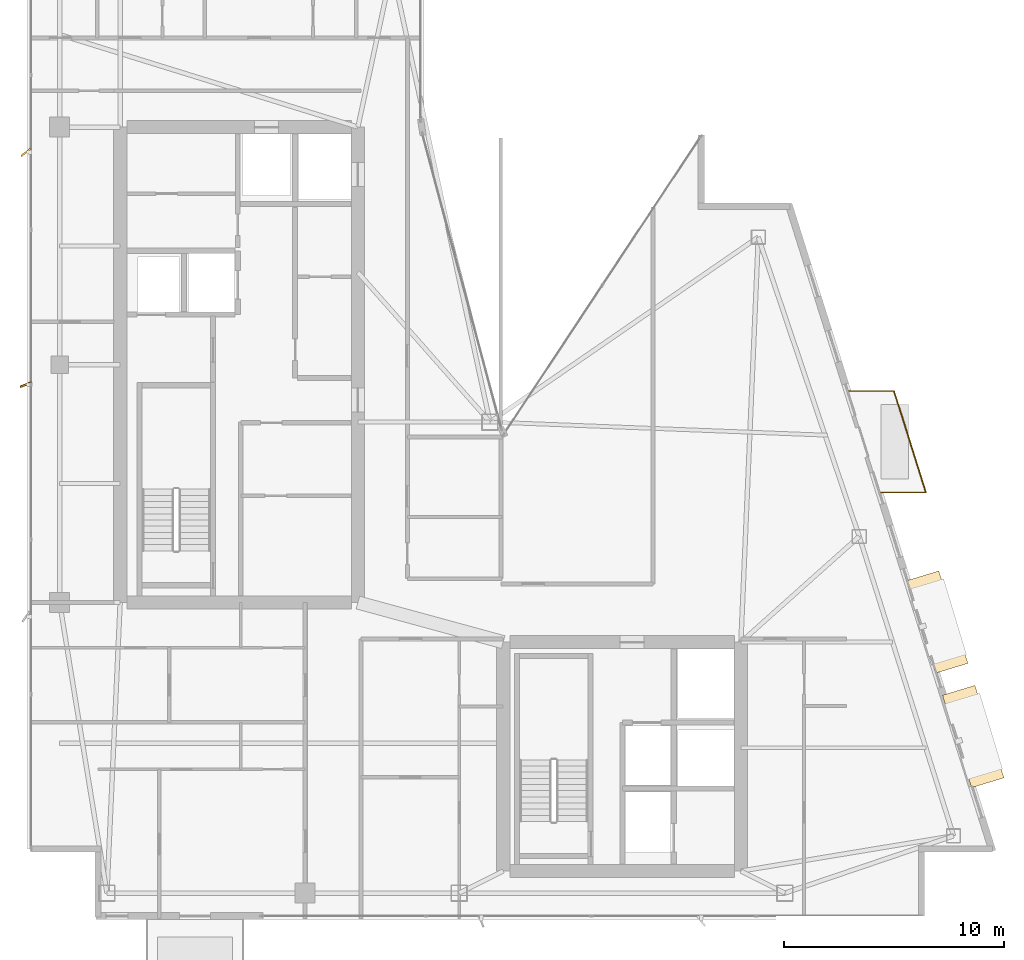
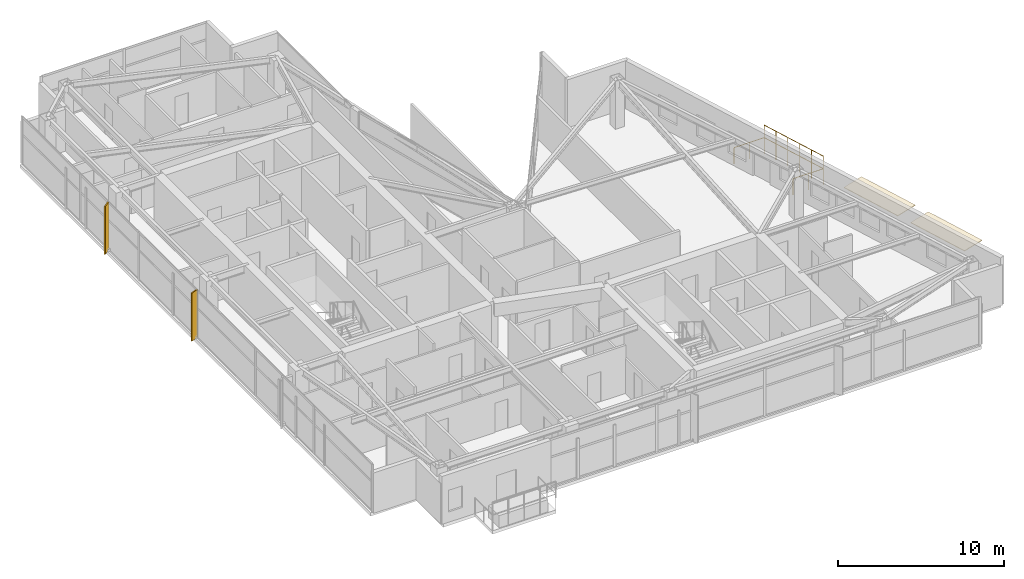
# One storey, part 27 of 27: 2 coverings, 2 railings, 2 shading devices.
"""IFC4 building model written with IfcOpenShell, lengths in metres."""

import ifcopenshell
import ifcopenshell.guid

model = None  # the IFC model being written
_history = None  # IfcOwnerHistory: only IFC2X3 demands one
_inside = {}  # id of a spatial element -> (the spatial element, [elements in it])
_under = {}  # id of a project, library or spatial element -> (it, [spatial elements below it])
_declared = {}  # id of a project -> (the project, [libraries it declares])
_typed = {}  # id of a type object -> (the type object, [elements of that type])
_made_of = {}  # id of a material, layer set ... -> (it, [elements and type objects made of it])


def new_model(schema):
    """Start an empty IFC model of exactly this schema.

    Asked for "IFC4X3", IfcOpenShell would pick the latest addendum, in which some entities
    have other attributes; the version numbers below select the first issue.
    IFC2X3 requires an IfcOwnerHistory on every rooted entity: one is made here for all.
    """
    global model, _history
    if schema == "IFC4X3":
        model = ifcopenshell.file(schema_version=(4, 3, 0, 0))
    else:
        model = ifcopenshell.file(schema=schema)
    _inside.clear()
    _under.clear()
    _declared.clear()
    _typed.clear()
    _made_of.clear()
    _history = None
    if model.schema == "IFC2X3":
        org = make("IfcOrganization", Name="unknown")
        user = make(
            "IfcPersonAndOrganization",
            ThePerson=make("IfcPerson", FamilyName="unknown"),
            TheOrganization=org,
        )
        app = make(
            "IfcApplication",
            ApplicationDeveloper=org,
            Version="unknown",
            ApplicationFullName="unknown",
            ApplicationIdentifier="unknown",
        )
        _history = make(
            "IfcOwnerHistory",
            OwningUser=user,
            OwningApplication=app,
            ChangeAction="ADDED",
            CreationDate=0,
        )
    return model


def make(cls, **values):
    """One entity of the class cls with the attributes given. An attribute that is None is left unset."""
    return model.create_entity(
        cls, **{name: value for name, value in values.items() if value is not None}
    )


def rooted(cls, **values):
    """An entity with a GlobalId (a new one), such as an element, a storey or a relation."""
    return make(cls, GlobalId=ifcopenshell.guid.new(), OwnerHistory=_history, **values)


def si_unit(unit_type, name, prefix=None):
    """IfcSIUnit, for example si_unit("LENGTHUNIT", "METRE", prefix="MILLI")."""
    return make("IfcSIUnit", UnitType=unit_type, Prefix=prefix, Name=name)


def assignment(units):
    """IfcUnitAssignment: the units of a project."""
    return None if units is None else make("IfcUnitAssignment", Units=units)


def point(xyz):
    """IfcCartesianPoint."""
    return None if xyz is None else make("IfcCartesianPoint", Coordinates=xyz)


def direction(xyz):
    """IfcDirection."""
    return None if xyz is None else make("IfcDirection", DirectionRatios=xyz)


def frame(location, z_axis=None, x_axis=None):
    """IfcAxis2Placement3D, a coordinate frame: its origin and axes. An axis left out is left unset."""
    return make(
        "IfcAxis2Placement3D",
        Location=point(location),
        Axis=direction(z_axis),
        RefDirection=direction(x_axis),
    )


def frame_2d(location, x_axis=None):
    """IfcAxis2Placement2D, a coordinate frame in the plane: its origin and x axis."""
    return make(
        "IfcAxis2Placement2D", Location=point(location), RefDirection=direction(x_axis)
    )


def origin():
    """The frame at (0, 0, 0) with its axes left unset."""
    return frame((0.0, 0.0, 0.0))


def origin_2d():
    """The frame at (0, 0) in the plane with its x axis left unset."""
    return frame_2d((0.0, 0.0))


def place(relative_to, where):
    """IfcLocalPlacement: puts the frame where relative to a parent placement (None: the world)."""
    return make(
        "IfcLocalPlacement", PlacementRelTo=relative_to, RelativePlacement=where
    )


def context(
    kind, dimensions, precision=None, world=None, true_north=None, identifier=None
):
    """IfcGeometricRepresentationContext, for example the 3D "Model" context."""
    return make(
        "IfcGeometricRepresentationContext",
        ContextIdentifier=identifier,
        ContextType=kind,
        CoordinateSpaceDimension=dimensions,
        Precision=precision,
        WorldCoordinateSystem=world,
        TrueNorth=true_north,
    )


def subcontext(parent, identifier, kind, view, scale=None):
    """IfcGeometricRepresentationSubContext, for example "Body" below "Model"."""
    return make(
        "IfcGeometricRepresentationSubContext",
        ContextIdentifier=identifier,
        ContextType=kind,
        ParentContext=parent,
        TargetScale=scale,
        TargetView=view,
    )


def project(units=None, contexts=None):
    """IfcProject with its units and contexts."""
    return rooted(
        "IfcProject",
        Name="project",
        RepresentationContexts=contexts,
        UnitsInContext=assignment(units),
    )


def spatial(cls, under=None, at=None, **own):
    """A site, building, storey or space (cls), placed at a placement, below another one or the project."""
    s = rooted(cls, ObjectPlacement=at, **own)
    if under is not None:
        _under.setdefault(under.id(), (under, []))[1].append(s)
    return s


def polyline(points):
    """IfcPolyline through the points."""
    return make("IfcPolyline", Points=[point(p) for p in points])


def profile(cls, at=None, kind="AREA", **sizes):
    """A parametric profile (cls). Its sizes go by their IFC names, for example OverallWidth=200.0."""
    return make(cls, ProfileType=kind, Position=at, **sizes)


def rectangle(**sizes):
    """IfcRectangleProfileDef."""
    return profile("IfcRectangleProfileDef", **sizes)


def circle(**sizes):
    """IfcCircleProfileDef."""
    return profile("IfcCircleProfileDef", **sizes)


def outline(outer, holes=None, kind="AREA"):
    """IfcArbitraryClosedProfileDef: a profile drawn as a closed curve; with holes, ...WithVoids."""
    if holes is None:
        return make("IfcArbitraryClosedProfileDef", ProfileType=kind, OuterCurve=outer)
    return make(
        "IfcArbitraryProfileDefWithVoids",
        ProfileType=kind,
        OuterCurve=outer,
        InnerCurves=holes,
    )


def extrude(swept, where, along, depth):
    """IfcExtrudedAreaSolid: the profile swept, set in the frame where, extruded along a direction by depth."""
    return make(
        "IfcExtrudedAreaSolid",
        SweptArea=swept,
        Position=where,
        ExtrudedDirection=direction(along),
        Depth=depth,
    )


def shape(context_of_items, identifier, shape_type, items):
    """IfcShapeRepresentation: the items that make up one representation, for example the "Body"."""
    return make(
        "IfcShapeRepresentation",
        ContextOfItems=context_of_items,
        RepresentationIdentifier=identifier,
        RepresentationType=shape_type,
        Items=items,
    )


def material(Name=None, Category=None):
    """IfcMaterial."""
    return make("IfcMaterial", Name=Name, Category=Category)


def layer(
    of_material, thickness, ventilated=None, Name=None, Category=None, Priority=None
):
    """IfcMaterialLayer: one layer of a wall or slab, of a material (None: an air gap)."""
    return make(
        "IfcMaterialLayer",
        Material=of_material,
        LayerThickness=thickness,
        IsVentilated=ventilated,
        Name=Name,
        Category=Category,
        Priority=Priority,
    )


def layer_set(layers, Name=None):
    """IfcMaterialLayerSet."""
    return make("IfcMaterialLayerSet", MaterialLayers=layers, LayerSetName=Name)


def made_of(thing, what):
    """Note that an element or type object is made of a material, layer set ...; save() writes the relation."""
    if what is not None:
        _made_of.setdefault(what.id(), (what, []))[1].append(thing)
    return thing


def type_object(cls, material=None, **own):
    """A type object (cls), such as IfcWallType, which elements share."""
    return made_of(rooted(cls, **own), material)


def element(
    cls,
    number,
    at=None,
    inside=None,
    cuts=None,
    type_object=None,
    material=None,
    context=None,
    identifier="Body",
    shape_type=None,
    held_by="IfcProductDefinitionShape",
    body=None,
    shapes=None,
    **own,
):
    """One element of the class cls, such as IfcWall. Its Tag is "e" and its number.

    at: its placement. inside: the storey or other place that contains it. cuts: it is an
    opening in that element (IfcRelVoidsElement). A single representation is given by context,
    identifier, shape_type and body (its items); several are given by shapes. held_by: the class
    of the entity that holds the representations. save() writes the other relations.
    """
    e = rooted(cls, Tag="e%d" % number, ObjectPlacement=at, **own)
    if body is not None:
        shapes = [shape(context, identifier, shape_type, body)]
    if shapes is not None:
        e.Representation = make(held_by, Representations=shapes)
    if inside is not None:
        _inside.setdefault(inside.id(), (inside, []))[1].append(e)
    if cuts is not None:
        rooted(
            "IfcRelVoidsElement", RelatingBuildingElement=cuts, RelatedOpeningElement=e
        )
    if type_object is not None:
        _typed.setdefault(type_object.id(), (type_object, []))[1].append(e)
    return made_of(e, material)


def aggregate(whole, parts):
    """IfcRelAggregates: a whole, such as a stair, and the parts it consists of."""
    return rooted("IfcRelAggregates", RelatingObject=whole, RelatedObjects=parts)


def save(model, path):
    """Write the relations noted so far, then the file.

    IfcRelAggregates (storeys below a building ...), IfcRelContainedInSpatialStructure (elements
    in a storey), IfcRelDefinesByType, IfcRelAssociatesMaterial and IfcRelDeclares: one each for
    every whole, place, type object, material and project.
    """
    for whole, parts in _under.values():
        aggregate(whole, parts)
    for where, things in _inside.values():
        rooted(
            "IfcRelContainedInSpatialStructure",
            RelatedElements=things,
            RelatingStructure=where,
        )
    for kind, things in _typed.values():
        rooted("IfcRelDefinesByType", RelatedObjects=things, RelatingType=kind)
    for what, things in _made_of.values():
        rooted("IfcRelAssociatesMaterial", RelatedObjects=things, RelatingMaterial=what)
    for by, libraries in _declared.values():
        rooted("IfcRelDeclares", RelatingContext=by, RelatedDefinitions=libraries)
    model.write(path)


model = new_model("IFC4")

# Units and contexts
model_context = context("Model", 3, precision=1e-05, world=origin(), true_north=direction((0.0, 1.0)))
body_context = subcontext(model_context, "Body", "Model", "MODEL_VIEW")
ifc_project = project(units=[si_unit("LENGTHUNIT", "METRE"), si_unit("AREAUNIT", "SQUARE_METRE"), si_unit("VOLUMEUNIT", "CUBIC_METRE"), si_unit("PLANEANGLEUNIT", "RADIAN"), si_unit("MASSUNIT", "GRAM", prefix="KILO")], contexts=[model_context])

# Site, building, storey
site_placement = place(None, origin())
site = spatial("IfcSite", under=ifc_project, at=site_placement, CompositionType="ELEMENT")
building_placement = place(site_placement, origin())
building = spatial("IfcBuilding", under=site, at=building_placement, Name="Calvorn Quay Hotel", CompositionType="ELEMENT")
storey_placement = place(building_placement, frame((0.0, 0.0, 278.699951171875)))
storey = spatial("IfcBuildingStorey", under=building, at=storey_placement, Name="L69", CompositionType="ELEMENT", Elevation=278.699951171875)

# Coverings
ifc_material_1 = material(Name="Pale Anodised Aluminium Rainscreen Cladding", Category="aluminium")
ifc_layer = layer(ifc_material_1, 0.044921875)
ifc_layer_set = layer_set([ifc_layer], Name="COV-CROWN-CLAD")
covering_type = type_object("IfcCoveringType", Name="COV-CROWN-CLAD", PredefinedType="CLADDING", material=ifc_layer_set)
covering_1_placement = place(storey_placement, frame((0.0, 0.0, 2.505126953125)))
element("IfcCovering", 1, at=covering_1_placement, inside=storey, type_object=covering_type, Name="Angled Bay Hood Canopy L69-HOOD-1", PredefinedType="CLADDING", context=body_context, shape_type="SweptSolid", body=[
    extrude(outline(polyline([(41.556884765625, 12.587890625), (43.030029296875, 13.034912109375), (44.35302734375, 8.8349609375), (42.8798828125, 8.387939453125), (41.556884765625, 12.587890625)])), origin(), (0.0, 0.0, 1.0), 0.044921875),
])
covering_2_placement = place(storey_placement, frame((0.0, 0.0, 2.505126953125)))
element("IfcCovering", 2, at=covering_2_placement, inside=storey, type_object=covering_type, Name="Angled Bay Hood Canopy L69-HOOD-2", PredefinedType="CLADDING", context=body_context, shape_type="SweptSolid", body=[
    extrude(outline(polyline([(39.91796875, 17.7880859375), (41.39208984375, 18.235107421875), (42.715087890625, 14.034912109375), (41.240966796875, 13.587890625), (39.91796875, 17.7880859375)])), origin(), (0.0, 0.0, 1.0), 0.044921875),
])

# Railings
ifc_material_2 = material(Name="Pale Anodised Aluminium and Laminated Glass", Category="aluminium")
railing_type = type_object("IfcRailingType", Name="RLG-BALUSTRADE-1200", PredefinedType="BALUSTRADE", material=ifc_material_2)
railing_1_placement = place(storey_placement, frame((38.7060546875, 21.800048828125, 0.0)))
element("IfcRailing", 3, at=railing_1_placement, inside=storey, type_object=railing_type, Name="Tree Balcony Perimeter Balustrade L69-BALC-E", PredefinedType="BALUSTRADE", context=body_context, shape_type="SweptSolid", body=[
    extrude(circle(Radius=0.02392578125, at=origin_2d()), frame((0.0, 0.0, 1.17578125), z_axis=(1.0, 0.0, 0.0), x_axis=(0.0, 1.0, 0.0)), (0.0, 0.0, 1.0), 2.099853515625),
    extrude(circle(Radius=0.02392578125, at=origin_2d()), frame((2.099853515625, 0.0, 1.17578125), z_axis=(-0.300450487966, 0.953797412599, 0.0), x_axis=(-0.953797412599, -0.300450487966, 0.0)), (0.0, 0.0, 1.0), 4.82275390625),
    extrude(circle(Radius=0.02392578125, at=origin_2d()), frame((0.65087890625, 4.599853515625, 1.17578125), z_axis=(-1.0, 0.0, 0.0), x_axis=(0.0, -1.0, 0.0)), (0.0, 0.0, 1.0), 2.099853515625),
    extrude(circle(Radius=0.02099609375, at=origin_2d()), origin(), (0.0, 0.0, 1.0), 1.15185546875),
    extrude(circle(Radius=0.02099609375, at=origin_2d()), frame((1.0498046875, 0.0, 0.0)), (0.0, 0.0, 1.0), 1.15185546875),
    extrude(circle(Radius=0.02099609375, at=origin_2d()), frame((2.099853515625, 0.0, 0.0)), (0.0, 0.0, 1.0), 1.15185546875),
    extrude(circle(Radius=0.02099609375, at=origin_2d()), frame((1.81005859375, 0.919921875, 0.0)), (0.0, 0.0, 1.0), 1.15185546875),
    extrude(circle(Radius=0.02099609375, at=origin_2d()), frame((1.520263671875, 1.83984375, 0.0)), (0.0, 0.0, 1.0), 1.15185546875),
    extrude(circle(Radius=0.02099609375, at=origin_2d()), frame((1.23046875, 2.760009765625, 0.0)), (0.0, 0.0, 1.0), 1.15185546875),
    extrude(circle(Radius=0.02099609375, at=origin_2d()), frame((0.940673828125, 3.679931640625, 0.0)), (0.0, 0.0, 1.0), 1.15185546875),
    extrude(circle(Radius=0.02099609375, at=origin_2d()), frame((0.65087890625, 4.599853515625, 0.0)), (0.0, 0.0, 1.0), 1.15185546875),
    extrude(circle(Radius=0.02099609375, at=origin_2d()), frame((-0.39892578125, 4.599853515625, 0.0)), (0.0, 0.0, 1.0), 1.15185546875),
    extrude(circle(Radius=0.02099609375, at=origin_2d()), frame((-1.448974609375, 4.599853515625, 0.0)), (0.0, 0.0, 1.0), 1.15185546875),
])
railing_2_placement = place(storey_placement, frame((40.805908203125, 21.800048828125, 0.900146484375)))
element("IfcRailing", 4, at=railing_2_placement, inside=storey, type_object=railing_type, Name="Planter Kerb High Safety Screen L69-BALC-E", PredefinedType="BALUSTRADE", context=body_context, shape_type="SweptSolid", body=[
    extrude(circle(Radius=0.02392578125, at=origin_2d()), frame((0.0, 0.0, 1.19580078125), z_axis=(-0.300450487966, 0.953797412599, 0.0), x_axis=(-0.953797412599, -0.300450487966, 0.0)), (0.0, 0.0, 1.0), 4.82275390625),
    extrude(circle(Radius=0.02099609375, at=origin_2d()), origin(), (0.0, 0.0, 1.0), 1.171875),
    extrude(circle(Radius=0.02099609375, at=origin_2d()), frame((-0.289794921875, 0.919921875, 0.0)), (0.0, 0.0, 1.0), 1.171875),
    extrude(circle(Radius=0.02099609375, at=origin_2d()), frame((-0.57958984375, 1.83984375, 0.0)), (0.0, 0.0, 1.0), 1.171875),
    extrude(circle(Radius=0.02099609375, at=origin_2d()), frame((-0.869384765625, 2.760009765625, 0.0)), (0.0, 0.0, 1.0), 1.171875),
    extrude(circle(Radius=0.02099609375, at=origin_2d()), frame((-1.1591796875, 3.679931640625, 0.0)), (0.0, 0.0, 1.0), 1.171875),
    extrude(circle(Radius=0.02099609375, at=origin_2d()), frame((-1.448974609375, 4.599853515625, 0.0)), (0.0, 0.0, 1.0), 1.171875),
])

# Shading devices
ifc_material_3 = material(Name="Champagne Bronze Anodised Aluminium 6063-T6", Category="aluminium")
shading_device_type_1 = type_object("IfcShadingDeviceType", Name="SHD-FIN-A1", PredefinedType="USERDEFINED", material=ifc_material_3)
shading_device_1_placement = place(storey_placement, frame((-0.080078125, 26.699951171875, 0.0), z_axis=(0.0, 0.0, 1.0), x_axis=(0.927183854567, 0.374606593416, 0.0)))
element("IfcShadingDevice", 5, at=shading_device_1_placement, inside=storey, type_object=shading_device_type_1, Name="Diagonal Sun-Shading Fin L69-W02", ObjectType="FIN", PredefinedType="USERDEFINED", context=body_context, shape_type="SweptSolid", body=[
    extrude(rectangle(XDim=0.550048828125, YDim=0.080078125, at=origin_2d()), origin(), (0.0, 0.0, 1.0), 3.52001953125),
])
ifc_material_4 = material(Name="Champagne Bronze Anodised Aluminium 6063-T6", Category="aluminium")
shading_device_type_2 = type_object("IfcShadingDeviceType", Name="SHD-FIN-A2", PredefinedType="USERDEFINED", material=ifc_material_4)
shading_device_2_placement = place(storey_placement, frame((-0.080078125, 37.25, 0.0), z_axis=(0.0, 0.0, 1.0), x_axis=(0.788010753607, 0.615661475326, 0.0)))
element("IfcShadingDevice", 6, at=shading_device_2_placement, inside=storey, type_object=shading_device_type_2, Name="Diagonal Sun-Shading Fin L69-W03", ObjectType="FIN", PredefinedType="USERDEFINED", context=body_context, shape_type="SweptSolid", body=[
    extrude(rectangle(XDim=0.550048828125, YDim=0.080078125, at=origin_2d()), origin(), (0.0, 0.0, 1.0), 3.52001953125),
])

save(model, "model.ifc")
